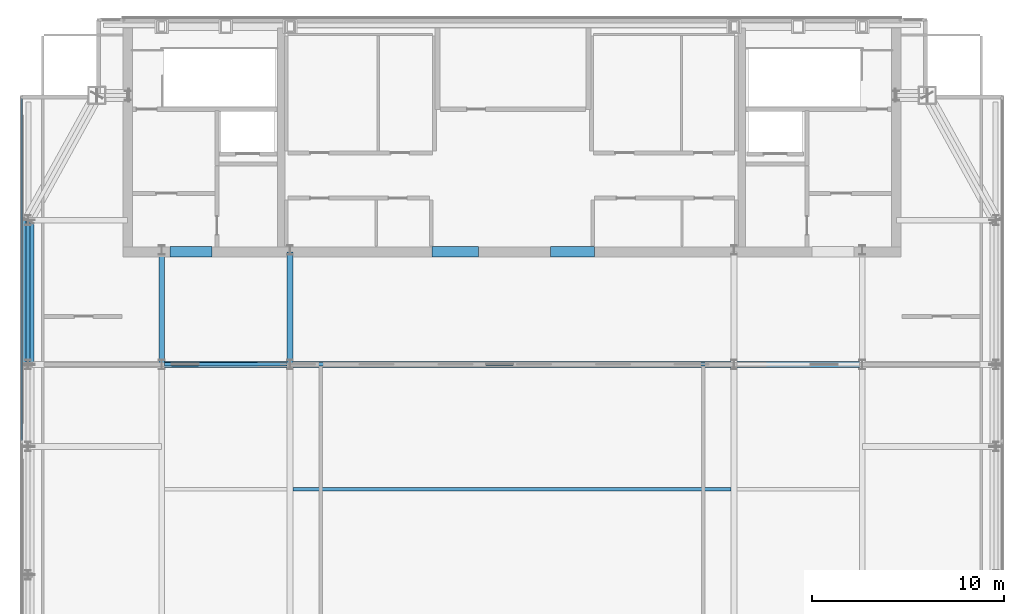
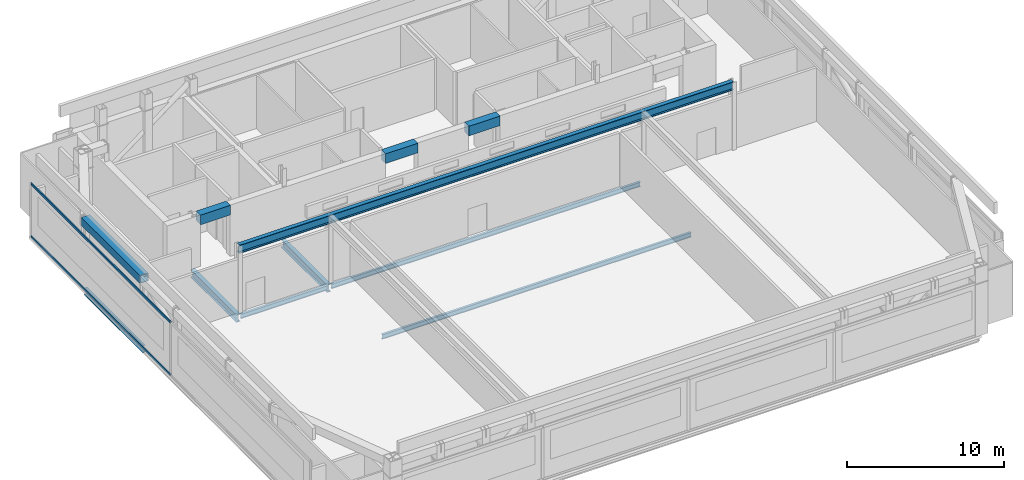
# One storey, part 9 of 24: 11 beams, 2 members, 1 element without a shape of its own.
"""IFC4 building model written with IfcOpenShell, lengths in metres."""

from ifc_helpers import new_model, si_unit, direction, frame, origin, origin_2d, place, context, subcontext, project, spatial, rectangle, hollow_rectangle, i_section, extrude, material, material_profile, profile_set, type_object, element, aggregate, save


model = new_model("IFC4")

# Units and contexts
model_context = context("Model", 3, precision=1e-05, world=origin(), true_north=direction((0.0, 1.0)))
body_context = subcontext(model_context, "Body", "Model", "MODEL_VIEW")
ifc_project = project(units=[si_unit("LENGTHUNIT", "METRE"), si_unit("AREAUNIT", "SQUARE_METRE"), si_unit("VOLUMEUNIT", "CUBIC_METRE"), si_unit("PLANEANGLEUNIT", "RADIAN"), si_unit("MASSUNIT", "GRAM", prefix="KILO")], contexts=[model_context])

# Site, building, storey
site_placement = place(None, origin())
site = spatial("IfcSite", under=ifc_project, at=site_placement, CompositionType="ELEMENT")
building_placement = place(site_placement, origin())
building = spatial("IfcBuilding", under=site, at=building_placement, Name="Khoronbel Lancet Exchange", CompositionType="ELEMENT")
storey_placement = place(building_placement, frame((0.0, 0.0, 378.60009765625)))
storey = spatial("IfcBuildingStorey", under=building, at=storey_placement, Name="L96", CompositionType="ELEMENT", Elevation=378.60009765625)

# Beams
ifc_material_1 = material(Name="Steel S355", Category="steel")
ifc_material_profile_1 = material_profile(ifc_material_1, i_section(OverallWidth=0.300048828125, OverallDepth=0.64990234375, WebThickness=0.01611328125, FlangeThickness=0.031005859375, at=origin_2d()), Name="HEB 650")
ifc_profile_set_1 = profile_set([ifc_material_profile_1], Name="Steel S355")
beam_type_1 = type_object("IfcBeamType", Name="BM-BG4", PredefinedType="BEAM", material=ifc_profile_set_1)
beam_1_placement = place(storey_placement, frame((18.22509765625, 35.699951171875, 4.949951171875), z_axis=(1.0, 0.0, 0.0), x_axis=(0.0, 1.0, 0.0)))
element("IfcBeam", 1, at=beam_1_placement, inside=storey, type_object=beam_type_1, Name="CROWN FRAME central roof ridge girder", PredefinedType="BEAM", context=body_context, shape_type="SweptSolid", body=[
    extrude(i_section(OverallWidth=0.300048828125, OverallDepth=0.64990234375, WebThickness=0.01611328125, FlangeThickness=0.031005859375, at=origin_2d()), origin(), (0.0, 0.0, 1.0), 36.449951171875),
])
ifc_material_profile_2 = material_profile(ifc_material_1, i_section(OverallWidth=0.300048828125, OverallDepth=0.60009765625, WebThickness=0.015380859375, FlangeThickness=0.030029296875, at=origin_2d()), Name="HEB 600")
ifc_profile_set_2 = profile_set([ifc_material_profile_2], Name="Steel S355")
beam_type_2 = type_object("IfcBeamType", Name="BM-BG5", PredefinedType="BEAM", material=ifc_profile_set_2)
for number, where, z_axis, x_axis, name in (
    (2, (18.22509765625, 35.699951171875, -0.5), (0.0, 1.0, 0.0), (-1.0, 0.0, 0.0), "Level L96 spine tie girder GN1"),
    (3, (24.89990234375, 35.699951171875, -0.5), (0.0, 1.0, 0.0), (-1.0, 0.0, 0.0), "Level L96 spine tie girder GN2"),
):
    element("IfcBeam", number, at=place(storey_placement, frame(where, z_axis=z_axis, x_axis=x_axis)), inside=storey, type_object=beam_type_2, Name=name, PredefinedType="BEAM", context=body_context, shape_type="SweptSolid", body=[
        extrude(i_section(OverallWidth=0.300048828125, OverallDepth=0.60009765625, WebThickness=0.015380859375, FlangeThickness=0.030029296875, at=origin_2d()), origin(), (0.0, 0.0, 1.0), 5.85009765625),
    ])
ifc_material_profile_3 = material_profile(ifc_material_1, i_section(OverallWidth=0.169921875, OverallDepth=0.360107421875, WebThickness=0.008056640625, FlangeThickness=0.0126953125, at=origin_2d()), Name="IPE 360")
ifc_profile_set_3 = profile_set([ifc_material_profile_3], Name="Steel S355")
beam_type_3 = type_object("IfcBeamType", Name="BM-BJ6", PredefinedType="JOIST", material=ifc_profile_set_3)
beam_2_placement = place(storey_placement, frame((25.050048828125, 29.199951171875, -0.380126953125), z_axis=(1.0, 0.0, 0.0), x_axis=(0.0, 1.0, 0.0)))
element("IfcBeam", 4, at=beam_2_placement, inside=storey, type_object=beam_type_3, Name="Level L96 secondary composite joist J08", PredefinedType="JOIST", context=body_context, shape_type="SweptSolid", body=[
    extrude(i_section(OverallWidth=0.169921875, OverallDepth=0.360107421875, WebThickness=0.008056640625, FlangeThickness=0.0126953125, at=origin_2d()), origin(), (0.0, 0.0, 1.0), 22.800048828125),
])
beam_3_placement = place(storey_placement, frame((18.375, 35.699951171875, -0.380126953125), z_axis=(1.0, 0.0, 0.0), x_axis=(0.0, 1.0, 0.0)))
element("IfcBeam", 5, at=beam_3_placement, inside=storey, type_object=beam_type_3, Name="Level L96 secondary composite joist J10", PredefinedType="JOIST", context=body_context, shape_type="SweptSolid", body=[
    extrude(i_section(OverallWidth=0.169921875, OverallDepth=0.360107421875, WebThickness=0.008056640625, FlangeThickness=0.0126953125, at=origin_2d()), origin(), (0.0, 0.0, 1.0), 6.375),
])
beam_4_placement = place(storey_placement, frame((25.050048828125, 35.699951171875, -0.380126953125), z_axis=(1.0, 0.0, 0.0), x_axis=(0.0, 1.0, 0.0)))
element("IfcBeam", 6, at=beam_4_placement, inside=storey, type_object=beam_type_3, Name="Level L96 secondary composite joist J11", PredefinedType="JOIST", context=body_context, shape_type="SweptSolid", body=[
    extrude(i_section(OverallWidth=0.169921875, OverallDepth=0.360107421875, WebThickness=0.008056640625, FlangeThickness=0.0126953125, at=origin_2d()), origin(), (0.0, 0.0, 1.0), 22.800048828125),
])
ifc_material_2 = material(Name="Concrete C60/75", Category="concrete")
ifc_material_profile_4 = material_profile(ifc_material_2, rectangle(XDim=0.550048828125, YDim=0.75, at=origin_2d()), Name="RC 550x750")
ifc_profile_set_4 = profile_set([ifc_material_profile_4], Name="Concrete C60/75")
beam_type_4 = type_object("IfcBeamType", Name="BM-BL2", PredefinedType="LINTEL", material=ifc_profile_set_4)
beam_5_placement = place(storey_placement, frame((18.64990234375, 41.550048828125, 3.625), z_axis=(1.0, 0.0, 0.0), x_axis=(0.0, 1.0, 0.0)))
element("IfcBeam", 7, at=beam_5_placement, inside=storey, type_object=beam_type_4, Name="Level L96 rear core coupling lintel L1", PredefinedType="LINTEL", context=body_context, shape_type="SweptSolid", body=[
    extrude(rectangle(XDim=0.550048828125, YDim=0.75, at=origin_2d()), origin(), (0.0, 0.0, 1.0), 2.2001953125),
])
beam_6_placement = place(storey_placement, frame((32.300048828125, 41.550048828125, 3.625), z_axis=(1.0, 0.0, 0.0), x_axis=(0.0, 1.0, 0.0)))
element("IfcBeam", 8, at=beam_6_placement, inside=storey, type_object=beam_type_4, Name="Level L96 rear core coupling lintel L2", PredefinedType="LINTEL", context=body_context, shape_type="SweptSolid", body=[
    extrude(rectangle(XDim=0.550048828125, YDim=0.75, at=origin_2d()), origin(), (0.0, 0.0, 1.0), 2.39990234375),
])
beam_7_placement = place(storey_placement, frame((38.449951171875, 41.550048828125, 3.625), z_axis=(1.0, 0.0, 0.0), x_axis=(0.0, 1.0, 0.0)))
element("IfcBeam", 9, at=beam_7_placement, inside=storey, type_object=beam_type_4, Name="Level L96 rear core coupling lintel L3", PredefinedType="LINTEL", context=body_context, shape_type="SweptSolid", body=[
    extrude(rectangle(XDim=0.550048828125, YDim=0.75, at=origin_2d()), origin(), (0.0, 0.0, 1.0), 2.300048828125),
])
ifc_material_profile_5 = material_profile(ifc_material_1, i_section(OverallWidth=0.2099609375, OverallDepth=0.550048828125, WebThickness=0.010986328125, FlangeThickness=0.01708984375, at=origin_2d()), Name="IPE 550")
ifc_profile_set_5 = profile_set([ifc_material_profile_5], Name="Steel S355")
beam_type_5 = type_object("IfcBeamType", Name="BM-BSP3", PredefinedType="SPANDREL", material=ifc_profile_set_5)
beam_8_placement = place(storey_placement, frame((11.27001953125, 43.199951171875, -0.47509765625), z_axis=(0.0, -1.0, 0.0), x_axis=(1.0, 0.0, 0.0)))
element("IfcBeam", 10, at=beam_8_placement, inside=storey, type_object=beam_type_5, Name="Level L96 perimeter spandrel beam SP15", PredefinedType="SPANDREL", context=body_context, shape_type="SweptSolid", body=[
    extrude(i_section(OverallWidth=0.2099609375, OverallDepth=0.550048828125, WebThickness=0.010986328125, FlangeThickness=0.01708984375, at=origin_2d()), origin(), (0.0, 0.0, 1.0), 7.5),
])
ifc_material_profile_6 = material_profile(ifc_material_1, hollow_rectangle(XDim=0.6201171875, YDim=0.6201171875, WallThickness=0.0400390625, at=origin_2d()), Name="BOX 620x620x40")
ifc_profile_set_6 = profile_set([ifc_material_profile_6], Name="Steel S355")
beam_type_6 = type_object("IfcBeamType", Name="BM-RB1", PredefinedType="USERDEFINED", material=ifc_profile_set_6)
beam_9_placement = place(storey_placement, frame((11.27001953125, 43.199951171875, 5.0498046875), z_axis=(0.0, -1.0, 0.0), x_axis=(1.0, 0.0, 0.0)))
element("IfcBeam", 11, at=beam_9_placement, inside=storey, type_object=beam_type_6, Name="CROWN FRAME top ring cap beam RB17", ObjectType="RING BEAM", PredefinedType="USERDEFINED", context=body_context, shape_type="SweptSolid", body=[
    extrude(hollow_rectangle(XDim=0.6201171875, YDim=0.6201171875, WallThickness=0.0400390625, at=origin_2d()), origin(), (0.0, 0.0, 1.0), 7.5),
])

# Curtain wall, members
ifc_material_3 = material(Name="Low-E Solar Control Insulating Glass", Category="glass")
curtain_wall_type = type_object("IfcCurtainWallType", Name="CW-6", PredefinedType="NOTDEFINED", material=ifc_material_3)
curtain_wall_placement = place(storey_placement, origin())
curtain_wall = element("IfcCurtainWall", 12, at=curtain_wall_placement, inside=storey, type_object=curtain_wall_type, Name="Unitised curtain wall CW-L96-E03", PredefinedType="NOTDEFINED")
ifc_material_4 = material(Name="Bronze-Anodised Aluminium 6063-T6", Category="aluminium")
ifc_material_profile_7 = material_profile(ifc_material_4, hollow_rectangle(XDim=0.0849609375, YDim=0.179931640625, WallThickness=0.0048828125, at=origin_2d()), Name="ALU TRANSOM 85x180")
ifc_profile_set_7 = profile_set([ifc_material_profile_7], Name="Bronze-Anodised Aluminium 6063-T6")
member_type = type_object("IfcMemberType", Name="MEM-CWT1", PredefinedType="USERDEFINED", material=ifc_profile_set_7)
member_1_placement = place(storey_placement, frame((10.93994140625, 31.737548828125, 0.04248046875), z_axis=(0.0, 1.0, 0.0), x_axis=(-1.0, 0.0, 0.0)))
member_1 = element("IfcMember", 13, at=member_1_placement, type_object=member_type, Name="CW6 transom 2.1", ObjectType="TRANSOM", PredefinedType="USERDEFINED", context=body_context, shape_type="SweptSolid", body=[
    extrude(hollow_rectangle(XDim=0.0849609375, YDim=0.179931640625, WallThickness=0.0048828125, at=origin_2d()), origin(), (0.0, 0.0, 1.0), 17.79736328125),
])
member_2_placement = place(storey_placement, frame((10.93994140625, 31.737548828125, 4.137451171875), z_axis=(0.0, 1.0, 0.0), x_axis=(-1.0, 0.0, 0.0)))
member_2 = element("IfcMember", 14, at=member_2_placement, type_object=member_type, Name="CW6 transom 2.2", ObjectType="TRANSOM", PredefinedType="USERDEFINED", context=body_context, shape_type="SweptSolid", body=[
    extrude(hollow_rectangle(XDim=0.0849609375, YDim=0.179931640625, WallThickness=0.0048828125, at=origin_2d()), origin(), (0.0, 0.0, 1.0), 17.79736328125),
])
aggregate(curtain_wall, [member_1, member_2])

save(model, "model.ifc")
